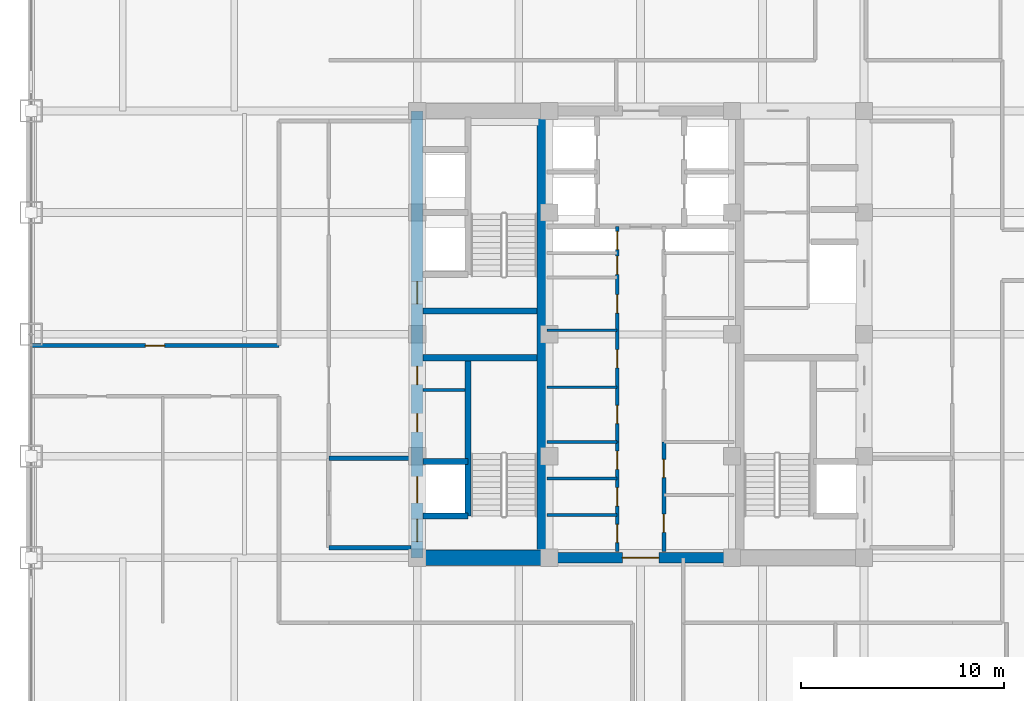
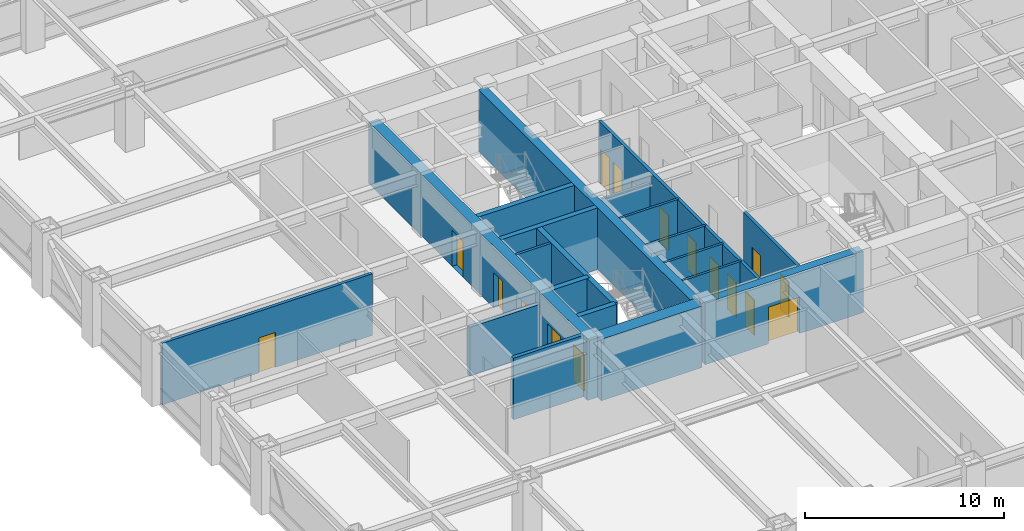
# One storey, part 20 of 25: 21 walls, 17 doors, 17 openings.
"""IFC4 building model written with IfcOpenShell, lengths in metres."""

from ifc_helpers import new_model, si_unit, direction, frame, frame_2d, origin, place, context, subcontext, project, spatial, rectangle, extrude, source, transform, mapped, material, layer, layer_set, type_object, element, fill, save


model = new_model("IFC4")

# Units and contexts
model_context = context("Model", 3, precision=1e-05, world=origin(), true_north=direction((0.0, 1.0)))
body_context = subcontext(model_context, "Body", "Model", "MODEL_VIEW")
ifc_project = project(units=[si_unit("LENGTHUNIT", "METRE"), si_unit("AREAUNIT", "SQUARE_METRE"), si_unit("VOLUMEUNIT", "CUBIC_METRE"), si_unit("PLANEANGLEUNIT", "RADIAN"), si_unit("MASSUNIT", "GRAM", prefix="KILO")], contexts=[model_context])

# Site, building, storey
site_placement = place(None, origin())
site = spatial("IfcSite", under=ifc_project, at=site_placement, CompositionType="ELEMENT")
building_placement = place(site_placement, origin())
building = spatial("IfcBuilding", under=site, at=building_placement, Name="Khorayat Bourse Tower", CompositionType="ELEMENT")
storey_placement = place(building_placement, frame((0.0, 0.0, 199.10009765625)))
storey = spatial("IfcBuildingStorey", under=building, at=storey_placement, Name="L46", CompositionType="ELEMENT", Elevation=199.10009765625)

# Wall, openings, doors
ifc_material_1 = material(Name="Concrete C60/75", Category="concrete")
ifc_layer_1 = layer(ifc_material_1, 0.60009765625)
ifc_layer_set_1 = layer_set([ifc_layer_1], Name="Concrete C60/75")
wall_type_1 = type_object("IfcWallType", Name="WAL-CORE-600", PredefinedType="SHEAR", material=ifc_layer_set_1)
shared_shape_1 = source(origin(), body_context, "Body", "SweptSolid", [
    extrude(rectangle(XDim=22.0, YDim=0.60009765625, at=frame_2d((11.0, 0.0))), origin(), (0.0, 0.0, 1.0), 3.77978515625),
])
wall_1_placement = place(storey_placement, frame((-11.0, -11.0, 0.0), z_axis=(0.0, 0.0, 1.0), x_axis=(0.0, 1.0, 0.0)))
wall_1 = element("IfcWall", 1, at=wall_1_placement, inside=storey, type_object=wall_type_1, Name="L46 Core Shear Wall CORE-W", PredefinedType="SHEAR", context=body_context, shape_type="MappedRepresentation", body=[
    mapped(shared_shape_1, transform((0.0, 0.0, 0.0), scale=1.0)),
])
shared_shape_2 = source(origin(), body_context, "Body", "SweptSolid", [
    extrude(rectangle(XDim=1.10009765625, YDim=2.199951171875, at=frame_2d((0.550048828125, 1.10009765625))), frame((0.0, 0.31005859375, 0.0), z_axis=(0.0, -1.0, 0.0), x_axis=(1.0, 0.0, 0.0)), (0.0, 0.0, 1.0), 0.6201171875),
])
opening_1_placement = place(wall_1_placement, frame((0.800048828125, 0.0, 0.0)))
opening_1 = element("IfcOpeningElement", 2, at=opening_1_placement, cuts=wall_1, Name="Opening DI-01", PredefinedType="OPENING", context=body_context, shape_type="MappedRepresentation", body=[
    mapped(shared_shape_2, transform((0.0, 0.0, 0.0), scale=1.0)),
])
opening_2_placement = place(wall_1_placement, frame((12.5, 0.0, 0.0)))
opening_2 = element("IfcOpeningElement", 3, at=opening_2_placement, cuts=wall_1, Name="Opening DI-01", PredefinedType="OPENING", context=body_context, shape_type="MappedRepresentation", body=[
    mapped(shared_shape_2, transform((0.0, 0.0, 0.0), scale=1.0)),
])
shared_shape_3 = source(origin(), body_context, "Body", "SweptSolid", [
    extrude(rectangle(XDim=0.89990234375, YDim=2.14990234375, at=frame_2d((0.449951171875, 1.074951171875))), frame((0.0, 0.31005859375, 0.0), z_axis=(0.0, -1.0, 0.0), x_axis=(1.0, 0.0, 0.0)), (0.0, 0.0, 1.0), 0.6201171875),
])
opening_3_placement = place(wall_1_placement, frame((6.199951171875, 0.0, 0.0)))
opening_3 = element("IfcOpeningElement", 4, at=opening_3_placement, cuts=wall_1, Name="Opening DI-06", PredefinedType="OPENING", context=body_context, shape_type="MappedRepresentation", body=[
    mapped(shared_shape_3, transform((0.0, 0.0, 0.0), scale=1.0)),
])
opening_4_placement = place(wall_1_placement, frame((8.52490234375, 0.0, 0.0)))
opening_4 = element("IfcOpeningElement", 5, at=opening_4_placement, cuts=wall_1, Name="Opening DI-06", PredefinedType="OPENING", context=body_context, shape_type="MappedRepresentation", body=[
    mapped(shared_shape_3, transform((0.0, 0.0, 0.0), scale=1.0)),
])
shared_shape_4 = source(origin(), body_context, "Body", "SweptSolid", [
    extrude(rectangle(XDim=1.300048828125, YDim=2.300048828125, at=frame_2d((0.64990234375, 1.14990234375))), frame((0.0, 0.31005859375, 0.0), z_axis=(0.0, -1.0, 0.0), x_axis=(1.0, 0.0, 0.0)), (0.0, 0.0, 1.0), 0.6201171875),
])
opening_5_placement = place(wall_1_placement, frame((2.699951171875, 0.0, 0.0)))
opening_5 = element("IfcOpeningElement", 6, at=opening_5_placement, cuts=wall_1, Name="Opening LD-02", PredefinedType="OPENING", context=body_context, shape_type="MappedRepresentation", body=[
    mapped(shared_shape_4, transform((0.0, 0.0, 0.0), scale=1.0)),
])
ifc_material_2 = material(Name="Fire-rated steel acoustic leaf", Category="steel")
door_type_1 = type_object("IfcDoorType", Name="DR-INT-STAIR-1100", OperationType="NOTDEFINED", PredefinedType="DOOR", material=ifc_material_2)
shared_shape_5 = source(origin(), body_context, "Body", "SweptSolid", [
    extrude(rectangle(XDim=1.10009765625, YDim=2.199951171875, at=frame_2d((0.550048828125, 1.10009765625))), frame((0.0, 0.02490234375, 0.0), z_axis=(0.0, -1.0, 0.0), x_axis=(1.0, 0.0, 0.0)), (0.0, 0.0, 1.0), 0.050048828125),
])
door_1_placement = place(opening_1_placement, origin())
door_1 = element("IfcDoor", 7, at=door_1_placement, inside=storey, type_object=door_type_1, Name="L46 Exit Stair 1 Door", OperationType="SINGLE_SWING_RIGHT", OverallHeight=2.199951171875, OverallWidth=1.10009765625, PredefinedType="DOOR", context=body_context, shape_type="MappedRepresentation", body=[
    mapped(shared_shape_5, transform((0.0, 0.0, 0.0), scale=1.0)),
])
fill(opening_1, door_1)
door_2_placement = place(opening_2_placement, origin())
door_2 = element("IfcDoor", 8, at=door_2_placement, inside=storey, type_object=door_type_1, Name="L46 Exit Stair 2 Door", OperationType="SINGLE_SWING_RIGHT", OverallHeight=2.199951171875, OverallWidth=1.10009765625, PredefinedType="DOOR", context=body_context, shape_type="MappedRepresentation", body=[
    mapped(shared_shape_5, transform((0.0, 0.0, 0.0), scale=1.0)),
])
fill(opening_2, door_2)
ifc_material_3 = material(Name="Moisture-resistant laminate washroom door")
door_type_2 = type_object("IfcDoorType", Name="DR-INT-WC-900", OperationType="NOTDEFINED", PredefinedType="DOOR", material=ifc_material_3)
shared_shape_6 = source(origin(), body_context, "Body", "SweptSolid", [
    extrude(rectangle(XDim=0.89990234375, YDim=2.14990234375, at=frame_2d((0.449951171875, 1.074951171875))), frame((0.0, 0.02490234375, 0.0), z_axis=(0.0, -1.0, 0.0), x_axis=(1.0, 0.0, 0.0)), (0.0, 0.0, 1.0), 0.050048828125),
])
door_3_placement = place(opening_3_placement, origin())
door_3 = element("IfcDoor", 9, at=door_3_placement, inside=storey, type_object=door_type_2, Name="L46 Switch Closet Door", OperationType="SINGLE_SWING_RIGHT", OverallHeight=2.14990234375, OverallWidth=0.89990234375, PredefinedType="DOOR", context=body_context, shape_type="MappedRepresentation", body=[
    mapped(shared_shape_6, transform((0.0, 0.0, 0.0), scale=1.0)),
])
fill(opening_3, door_3)
door_4_placement = place(opening_4_placement, origin())
door_4 = element("IfcDoor", 10, at=door_4_placement, inside=storey, type_object=door_type_2, Name="L46 Janitor Store Door", OperationType="SINGLE_SWING_LEFT", OverallHeight=2.14990234375, OverallWidth=0.89990234375, PredefinedType="DOOR", context=body_context, shape_type="MappedRepresentation", body=[
    mapped(shared_shape_6, transform((0.0, 0.0, 0.0), scale=1.0)),
])
fill(opening_4, door_4)
ifc_material_4 = material(Name="Fire-rated stainless-steel sliding landing door", Category="steel")
door_type_3 = type_object("IfcDoorType", Name="DR-LIFT-FF-1300", OperationType="NOTDEFINED", PredefinedType="DOOR", material=ifc_material_4)
shared_shape_7 = source(origin(), body_context, "Body", "SweptSolid", [
    extrude(rectangle(XDim=1.300048828125, YDim=2.300048828125, at=frame_2d((0.64990234375, 1.14990234375))), frame((0.0, 0.02490234375, 0.0), z_axis=(0.0, -1.0, 0.0), x_axis=(1.0, 0.0, 0.0)), (0.0, 0.0, 1.0), 0.050048828125),
])
door_5_placement = place(opening_5_placement, origin())
door_5 = element("IfcDoor", 11, at=door_5_placement, inside=storey, type_object=door_type_3, Name="L46 Lift FFL-01 Sliding Landing Door", OperationType="SLIDING_TO_LEFT", OverallHeight=2.300048828125, OverallWidth=1.300048828125, PredefinedType="DOOR", context=body_context, shape_type="MappedRepresentation", body=[
    mapped(shared_shape_7, transform((0.0, 0.0, 0.0), scale=1.0)),
])
fill(opening_5, door_5)

# Walls
ifc_material_5 = material(Name="Concrete C52/65", Category="concrete")
ifc_layer_2 = layer(ifc_material_5, 0.5)
ifc_layer_set_2 = layer_set([ifc_layer_2], Name="Concrete C52/65")
wall_type_2 = type_object("IfcWallType", Name="WAL-CORE-500", PredefinedType="SHEAR", material=ifc_layer_set_2)
shared_shape_8 = source(origin(), body_context, "Body", "SweptSolid", [
    extrude(rectangle(XDim=21.39990234375, YDim=0.5, at=frame_2d((10.699951171875, 0.0))), origin(), (0.0, 0.0, 1.0), 3.77978515625),
])
wall_2_placement = place(storey_placement, frame((-4.85009765625, -10.699951171875, 0.0), z_axis=(0.0, 0.0, 1.0), x_axis=(0.0, 1.0, 0.0)))
element("IfcWall", 12, at=wall_2_placement, inside=storey, type_object=wall_type_2, Name="L46 Core Shear Wall PIER-W", PredefinedType="SHEAR", context=body_context, shape_type="MappedRepresentation", body=[
    mapped(shared_shape_8, transform((0.0, 0.0, 0.0), scale=1.0)),
])
ifc_material_6 = material(Name="Concrete C72/90", Category="concrete")
ifc_layer_3 = layer(ifc_material_6, 0.75)
ifc_layer_set_3 = layer_set([ifc_layer_3], Name="Concrete C72/90")
wall_type_3 = type_object("IfcWallType", Name="WAL-CORE-750", PredefinedType="SHEAR", material=ifc_layer_set_3)
shared_shape_9 = source(origin(), body_context, "Body", "SweptSolid", [
    extrude(rectangle(XDim=5.849853515625, YDim=0.75, at=frame_2d((2.9248046875, 0.0))), origin(), (0.0, 0.0, 1.0), 3.77978515625),
])
wall_3_placement = place(storey_placement, frame((-10.699951171875, -11.0, 0.0), z_axis=(0.0, 0.0, 1.0), x_axis=(1.0, 0.0, 0.0)))
element("IfcWall", 13, at=wall_3_placement, inside=storey, type_object=wall_type_3, Name="L46 Core Shear Wall PIER-WS", PredefinedType="SHEAR", context=body_context, shape_type="MappedRepresentation", body=[
    mapped(shared_shape_9, transform((0.0, 0.0, 0.0), scale=1.0)),
])
ifc_material_7 = material(Name="Concrete C50/60", Category="concrete")
ifc_layer_4 = layer(ifc_material_7, 0.300048828125)
ifc_layer_set_4 = layer_set([ifc_layer_4], Name="Concrete C50/60")
wall_type_4 = type_object("IfcWallType", Name="WAL-SHAFT-300", PredefinedType="SHEAR", material=ifc_layer_set_4)
shared_shape_10 = source(origin(), body_context, "Body", "SweptSolid", [
    extrude(rectangle(XDim=5.599853515625, YDim=0.300048828125, at=frame_2d((2.7998046875, 0.0))), origin(), (0.0, 0.0, 1.0), 3.77978515625),
])
for number, where, z_axis, x_axis, name in (
    (14, (-10.699951171875, -1.14990234375, 0.0), (0.0, 0.0, 1.0), (1.0, 0.0, 0.0), "L46 Core Shear Wall ST1-DIV"),
    (15, (-10.699951171875, 1.14990234375, 0.0), (0.0, 0.0, 1.0), (1.0, 0.0, 0.0), "L46 Core Shear Wall ST2-DIV"),
):
    element("IfcWall", number, at=place(storey_placement, frame(where, z_axis=z_axis, x_axis=x_axis)), inside=storey, type_object=wall_type_4, Name=name, PredefinedType="SHEAR", context=body_context, shape_type="MappedRepresentation", body=[
        mapped(shared_shape_10, transform((0.0, 0.0, 0.0), scale=1.0)),
    ])

# Wall, opening, door
shared_shape_11 = source(origin(), body_context, "Body", "SweptSolid", [
    extrude(rectangle(XDim=9.2001953125, YDim=0.5, at=frame_2d((4.60009765625, 0.0))), origin(), (0.0, 0.0, 1.0), 3.77978515625),
])
wall_4_placement = place(storey_placement, frame((-4.60009765625, -11.0, 0.0), z_axis=(0.0, 0.0, 1.0), x_axis=(1.0, 0.0, 0.0)))
wall_4 = element("IfcWall", 16, at=wall_4_placement, inside=storey, type_object=wall_type_2, Name="L46 Core Shear Wall CORE-S", PredefinedType="SHEAR", context=body_context, shape_type="MappedRepresentation", body=[
    mapped(shared_shape_11, transform((0.0, 0.0, 0.0), scale=1.0)),
])
shared_shape_12 = source(origin(), body_context, "Body", "SweptSolid", [
    extrude(rectangle(XDim=1.800048828125, YDim=2.25, at=frame_2d((0.89990234375, 1.125))), frame((0.0, 0.260009765625, 0.0), z_axis=(0.0, -1.0, 0.0), x_axis=(1.0, 0.0, 0.0)), (0.0, 0.0, 1.0), 0.52001953125),
])
opening_6_placement = place(wall_4_placement, frame((3.699951171875, 0.0, 0.0)))
opening_6 = element("IfcOpeningElement", 17, at=opening_6_placement, cuts=wall_4, Name="Opening DI-03", PredefinedType="OPENING", context=body_context, shape_type="MappedRepresentation", body=[
    mapped(shared_shape_12, transform((0.0, 0.0, 0.0), scale=1.0)),
])
ifc_material_8 = material(Name="Fire-rated hardwood vision-panel double leaf", Category="wood")
door_type_4 = type_object("IfcDoorType", Name="DR-INT-CORR-1800", OperationType="NOTDEFINED", PredefinedType="DOOR", material=ifc_material_8)
shared_shape_13 = source(origin(), body_context, "Body", "SweptSolid", [
    extrude(rectangle(XDim=1.800048828125, YDim=2.25, at=frame_2d((0.89990234375, 1.125))), frame((0.0, 0.02490234375, 0.0), z_axis=(0.0, -1.0, 0.0), x_axis=(1.0, 0.0, 0.0)), (0.0, 0.0, 1.0), 0.050048828125),
])
door_6_placement = place(opening_6_placement, origin())
door_6 = element("IfcDoor", 18, at=door_6_placement, inside=storey, type_object=door_type_4, Name="L46 Central Core South Passage Door", OperationType="SINGLE_SWING_LEFT", OverallHeight=2.25, OverallWidth=1.800048828125, PredefinedType="DOOR", context=body_context, shape_type="MappedRepresentation", body=[
    mapped(shared_shape_13, transform((0.0, 0.0, 0.0), scale=1.0)),
])
fill(opening_6, door_6)

# Walls
shared_shape_14 = source(origin(), body_context, "Body", "SweptSolid", [
    extrude(rectangle(XDim=7.800048828125, YDim=0.300048828125, at=frame_2d((3.89990234375, 0.0))), origin(), (0.0, 0.0, 1.0), 3.77978515625),
])
wall_5_placement = place(storey_placement, frame((-8.5, -8.949951171875, 0.0), z_axis=(0.0, 0.0, 1.0), x_axis=(0.0, 1.0, 0.0)))
element("IfcWall", 19, at=wall_5_placement, inside=storey, type_object=wall_type_4, Name="L46 Partition WAL-L46-WPIER-SP", PredefinedType="SHEAR", context=body_context, shape_type="MappedRepresentation", body=[
    mapped(shared_shape_14, transform((0.0, 0.0, 0.0), scale=1.0)),
])
shared_shape_15 = source(origin(), body_context, "Body", "SweptSolid", [
    extrude(rectangle(XDim=2.199951171875, YDim=0.300048828125, at=frame_2d((1.10009765625, 0.0))), origin(), (0.0, 0.0, 1.0), 3.77978515625),
])
for number, where, z_axis, x_axis, name in (
    (20, (-10.699951171875, -8.949951171875, 0.0), (0.0, 0.0, 1.0), (1.0, 0.0, 0.0), "L46 Partition WAL-L46-WPIER-FF1S"),
    (21, (-10.699951171875, -6.25, 0.0), (0.0, 0.0, 1.0), (1.0, 0.0, 0.0), "L46 Partition WAL-L46-WPIER-FF1N"),
):
    element("IfcWall", number, at=place(storey_placement, frame(where, z_axis=z_axis, x_axis=x_axis)), inside=storey, type_object=wall_type_4, Name=name, PredefinedType="SHEAR", context=body_context, shape_type="MappedRepresentation", body=[
        mapped(shared_shape_15, transform((0.0, 0.0, 0.0), scale=1.0)),
    ])
ifc_material_9 = material(Name="Gypsum plasterboard twin-frame partition")
ifc_layer_5 = layer(ifc_material_9, 0.14990234375)
ifc_layer_set_5 = layer_set([ifc_layer_5], Name="Gypsum plasterboard twin-frame partition")
wall_type_5 = type_object("IfcWallType", Name="WAL-PART-SUITE-150", PredefinedType="PARTITIONING", material=ifc_layer_set_5)
shared_shape_16 = source(origin(), body_context, "Body", "SweptSolid", [
    extrude(rectangle(XDim=2.050048828125, YDim=0.14990234375, at=frame_2d((1.02490234375, 0.0))), origin(), (0.0, 0.0, 1.0), 3.77978515625),
])
wall_6_placement = place(storey_placement, frame((-10.699951171875, -2.75, 0.0), z_axis=(0.0, 0.0, 1.0), x_axis=(1.0, 0.0, 0.0)))
element("IfcWall", 22, at=wall_6_placement, inside=storey, type_object=wall_type_5, Name="L46 Partition WAL-L46-WSRV-D1", PredefinedType="PARTITIONING", context=body_context, shape_type="MappedRepresentation", body=[
    mapped(shared_shape_16, transform((0.0, 0.0, 0.0), scale=1.0)),
])
ifc_material_10 = material(Name="Aerated concrete blockwork", Category="masonry")
ifc_layer_6 = layer(ifc_material_10, 0.219970703125)
ifc_layer_set_6 = layer_set([ifc_layer_6], Name="Aerated concrete blockwork")
wall_type_6 = type_object("IfcWallType", Name="WAL-PART-FF-220", PredefinedType="PARTITIONING", material=ifc_layer_set_6)
shared_shape_17 = source(origin(), body_context, "Body", "SweptSolid", [
    extrude(rectangle(XDim=4.050048828125, YDim=0.219970703125, at=frame_2d((2.02490234375, 0.0))), origin(), (0.0, 0.0, 1.0), 3.77978515625),
])
wall_7_placement = place(storey_placement, frame((-15.35009765625, -10.5, 0.0), z_axis=(0.0, 0.0, 1.0), x_axis=(1.0, 0.0, 0.0)))
element("IfcWall", 23, at=wall_7_placement, inside=storey, type_object=wall_type_6, Name="L46 Partition WAL-L46-FFLW-S", PredefinedType="PARTITIONING", context=body_context, shape_type="MappedRepresentation", body=[
    mapped(shared_shape_17, transform((0.0, 0.0, 0.0), scale=1.0)),
])
shared_shape_18 = source(origin(), body_context, "Body", "SweptSolid", [
    extrude(rectangle(XDim=4.050048828125, YDim=0.219970703125, at=frame_2d((2.02490234375, 0.0))), origin(), (0.0, 0.0, 1.0), 3.0068359375),
])
wall_8_placement = place(storey_placement, frame((-15.35009765625, -6.10009765625, 0.0), z_axis=(0.0, 0.0, 1.0), x_axis=(1.0, 0.0, 0.0)))
element("IfcWall", 24, at=wall_8_placement, inside=storey, type_object=wall_type_6, Name="L46 Partition WAL-L46-FFLW-N", PredefinedType="PARTITIONING", context=body_context, shape_type="MappedRepresentation", body=[
    mapped(shared_shape_18, transform((0.0, 0.0, 0.0), scale=1.0)),
])
shared_shape_19 = source(origin(), body_context, "Body", "SweptSolid", [
    extrude(rectangle(XDim=3.4501953125, YDim=0.14990234375, at=frame_2d((1.72509765625, 0.0))), origin(), (0.0, 0.0, 1.0), 3.77978515625),
])
wall_9_placement = place(storey_placement, frame((-4.60009765625, -5.300048828125, 0.0), z_axis=(0.0, 0.0, 1.0), x_axis=(1.0, 0.0, 0.0)))
element("IfcWall", 25, at=wall_9_placement, inside=storey, type_object=wall_type_5, Name="L46 Partition WAL-L46-FB1-NW", PredefinedType="PARTITIONING", context=body_context, shape_type="MappedRepresentation", body=[
    mapped(shared_shape_19, transform((0.0, 0.0, 0.0), scale=1.0)),
])
ifc_material_11 = material(Name="Moisture-resistant masonry partition", Category="masonry")
ifc_layer_7 = layer(ifc_material_11, 0.139892578125)
ifc_layer_set_7 = layer_set([ifc_layer_7], Name="Moisture-resistant masonry partition")
wall_type_7 = type_object("IfcWallType", Name="WAL-PART-WET-140", PredefinedType="PARTITIONING", material=ifc_layer_set_7)
shared_shape_20 = source(origin(), body_context, "Body", "SweptSolid", [
    extrude(rectangle(XDim=3.4501953125, YDim=0.139892578125, at=frame_2d((1.72509765625, 0.0))), origin(), (0.0, 0.0, 1.0), 3.77978515625),
])
for number, where, z_axis, x_axis, name in (
    (26, (-4.60009765625, -8.89990234375, 0.0), (0.0, 0.0, 1.0), (1.0, 0.0, 0.0), "L46 Partition WAL-L46-FB1W-D1"),
    (27, (-4.60009765625, -7.10009765625, 0.0), (0.0, 0.0, 1.0), (1.0, 0.0, 0.0), "L46 Partition WAL-L46-FB1W-D2"),
    (28, (-4.60009765625, -2.60009765625, 0.0), (0.0, 0.0, 1.0), (1.0, 0.0, 0.0), "L46 Partition WAL-L46-CMW-D1"),
):
    element("IfcWall", number, at=place(storey_placement, frame(where, z_axis=z_axis, x_axis=x_axis)), inside=storey, type_object=wall_type_7, Name=name, PredefinedType="PARTITIONING", context=body_context, shape_type="MappedRepresentation", body=[
        mapped(shared_shape_20, transform((0.0, 0.0, 0.0), scale=1.0)),
    ])

# Wall, openings, doors
ifc_material_12 = material(Name="Gypsum plasterboard acoustic stud wall")
ifc_layer_8 = layer(ifc_material_12, 0.179931640625)
ifc_layer_set_8 = layer_set([ifc_layer_8], Name="Gypsum plasterboard acoustic stud wall")
wall_type_8 = type_object("IfcWallType", Name="WAL-PART-CORR-180", PredefinedType="PARTITIONING", material=ifc_layer_set_8)
shared_shape_21 = source(origin(), body_context, "Body", "SweptSolid", [
    extrude(rectangle(XDim=5.39990234375, YDim=0.179931640625, at=frame_2d((2.699951171875, 0.0))), origin(), (0.0, 0.0, 1.0), 3.77978515625),
])
wall_10_placement = place(storey_placement, frame((-1.14990234375, -10.699951171875, 0.0), z_axis=(0.0, 0.0, 1.0), x_axis=(0.0, 1.0, 0.0)))
wall_10 = element("IfcWall", 29, at=wall_10_placement, inside=storey, type_object=wall_type_8, Name="L46 Partition WAL-L46-FB1W-L", PredefinedType="PARTITIONING", context=body_context, shape_type="MappedRepresentation", body=[
    mapped(shared_shape_21, transform((0.0, 0.0, 0.0), scale=1.0)),
])
shared_shape_22 = source(origin(), body_context, "Body", "SweptSolid", [
    extrude(rectangle(XDim=0.89990234375, YDim=2.14990234375, at=frame_2d((0.449951171875, 1.074951171875))), frame((0.0, 0.099853515625, 0.0), z_axis=(0.0, -1.0, 0.0), x_axis=(1.0, 0.0, 0.0)), (0.0, 0.0, 1.0), 0.199951171875),
])
opening_7_placement = place(wall_10_placement, frame((0.449951171875, 0.0, 0.0)))
opening_7 = element("IfcOpeningElement", 30, at=opening_7_placement, cuts=wall_10, Name="Opening DI-06", PredefinedType="OPENING", context=body_context, shape_type="MappedRepresentation", body=[
    mapped(shared_shape_22, transform((0.0, 0.0, 0.0), scale=1.0)),
])
opening_8_placement = place(wall_10_placement, frame((2.25, 0.0, 0.0)))
opening_8 = element("IfcOpeningElement", 31, at=opening_8_placement, cuts=wall_10, Name="Opening DI-06", PredefinedType="OPENING", context=body_context, shape_type="MappedRepresentation", body=[
    mapped(shared_shape_22, transform((0.0, 0.0, 0.0), scale=1.0)),
])
opening_9_placement = place(wall_10_placement, frame((4.050048828125, 0.0, 0.0)))
opening_9 = element("IfcOpeningElement", 32, at=opening_9_placement, cuts=wall_10, Name="Opening DI-06", PredefinedType="OPENING", context=body_context, shape_type="MappedRepresentation", body=[
    mapped(shared_shape_22, transform((0.0, 0.0, 0.0), scale=1.0)),
])
door_7_placement = place(opening_7_placement, origin())
door_7 = element("IfcDoor", 33, at=door_7_placement, inside=storey, type_object=door_type_2, Name="L46 Archive Store A Door", OperationType="SINGLE_SWING_RIGHT", OverallHeight=2.14990234375, OverallWidth=0.89990234375, PredefinedType="DOOR", context=body_context, shape_type="MappedRepresentation", body=[
    mapped(shared_shape_6, transform((0.0, 0.0, 0.0), scale=1.0)),
])
fill(opening_7, door_7)
door_8_placement = place(opening_8_placement, origin())
door_8 = element("IfcDoor", 34, at=door_8_placement, inside=storey, type_object=door_type_2, Name="L46 Patch Comms Room Door", OperationType="SINGLE_SWING_LEFT", OverallHeight=2.14990234375, OverallWidth=0.89990234375, PredefinedType="DOOR", context=body_context, shape_type="MappedRepresentation", body=[
    mapped(shared_shape_6, transform((0.0, 0.0, 0.0), scale=1.0)),
])
fill(opening_8, door_8)
door_9_placement = place(opening_9_placement, origin())
door_9 = element("IfcDoor", 35, at=door_9_placement, inside=storey, type_object=door_type_2, Name="L46 Archive Store B Door", OperationType="SINGLE_SWING_RIGHT", OverallHeight=2.14990234375, OverallWidth=0.89990234375, PredefinedType="DOOR", context=body_context, shape_type="MappedRepresentation", body=[
    mapped(shared_shape_6, transform((0.0, 0.0, 0.0), scale=1.0)),
])
fill(opening_9, door_9)

wall_11_placement = place(storey_placement, frame((1.14990234375, -10.699951171875, 0.0), z_axis=(0.0, 0.0, 1.0), x_axis=(0.0, 1.0, 0.0)))
wall_11 = element("IfcWall", 36, at=wall_11_placement, inside=storey, type_object=wall_type_8, Name="L46 Partition WAL-L46-FB1E-L", PredefinedType="PARTITIONING", context=body_context, shape_type="MappedRepresentation", body=[
    mapped(shared_shape_21, transform((0.0, 0.0, 0.0), scale=1.0)),
])
opening_10_placement = place(wall_11_placement, frame((0.949951171875, 0.0, 0.0)))
opening_10 = element("IfcOpeningElement", 37, at=opening_10_placement, cuts=wall_11, Name="Opening DI-06", PredefinedType="OPENING", context=body_context, shape_type="MappedRepresentation", body=[
    mapped(shared_shape_22, transform((0.0, 0.0, 0.0), scale=1.0)),
])
opening_11_placement = place(wall_11_placement, frame((3.64990234375, 0.0, 0.0)))
opening_11 = element("IfcOpeningElement", 38, at=opening_11_placement, cuts=wall_11, Name="Opening DI-06", PredefinedType="OPENING", context=body_context, shape_type="MappedRepresentation", body=[
    mapped(shared_shape_22, transform((0.0, 0.0, 0.0), scale=1.0)),
])
door_10_placement = place(opening_10_placement, origin())
door_10 = element("IfcDoor", 39, at=door_10_placement, inside=storey, type_object=door_type_2, Name="L46 UPS Switch Plant Room Door", OperationType="SINGLE_SWING_RIGHT", OverallHeight=2.14990234375, OverallWidth=0.89990234375, PredefinedType="DOOR", context=body_context, shape_type="MappedRepresentation", body=[
    mapped(shared_shape_6, transform((0.0, 0.0, 0.0), scale=1.0)),
])
fill(opening_10, door_10)
door_11_placement = place(opening_11_placement, origin())
door_11 = element("IfcDoor", 40, at=door_11_placement, inside=storey, type_object=door_type_2, Name="L46 Reprographics Store Door", OperationType="SINGLE_SWING_LEFT", OverallHeight=2.14990234375, OverallWidth=0.89990234375, PredefinedType="DOOR", context=body_context, shape_type="MappedRepresentation", body=[
    mapped(shared_shape_6, transform((0.0, 0.0, 0.0), scale=1.0)),
])
fill(opening_11, door_11)

# Wall
shared_shape_23 = source(origin(), body_context, "Body", "SweptSolid", [
    extrude(rectangle(XDim=3.4501953125, YDim=0.139892578125, at=frame_2d((1.72509765625, 0.0))), origin(), (0.0, 0.0, 1.0), 3.0849609375),
])
wall_12_placement = place(storey_placement, frame((-4.60009765625, 0.199951171875, 0.0), z_axis=(0.0, 0.0, 1.0), x_axis=(1.0, 0.0, 0.0)))
element("IfcWall", 41, at=wall_12_placement, inside=storey, type_object=wall_type_7, Name="L46 Partition WAL-L46-CMW-D2", PredefinedType="PARTITIONING", context=body_context, shape_type="MappedRepresentation", body=[
    mapped(shared_shape_23, transform((0.0, 0.0, 0.0), scale=1.0)),
])

# Wall, openings, doors
shared_shape_24 = source(origin(), body_context, "Body", "SweptSolid", [
    extrude(rectangle(XDim=10.60009765625, YDim=0.179931640625, at=frame_2d((5.300048828125, 0.0))), origin(), (0.0, 0.0, 1.0), 3.77978515625),
])
wall_13_placement = place(storey_placement, frame((-1.14990234375, -5.300048828125, 0.0), z_axis=(0.0, 0.0, 1.0), x_axis=(0.0, 1.0, 0.0)))
wall_13 = element("IfcWall", 42, at=wall_13_placement, inside=storey, type_object=wall_type_8, Name="L46 Partition WAL-L46-CMW-L", PredefinedType="PARTITIONING", context=body_context, shape_type="MappedRepresentation", body=[
    mapped(shared_shape_24, transform((0.0, 0.0, 0.0), scale=1.0)),
])
opening_12_placement = place(wall_13_placement, frame((0.89990234375, 0.0, 0.0)))
opening_12 = element("IfcOpeningElement", 43, at=opening_12_placement, cuts=wall_13, Name="Opening DI-06", PredefinedType="OPENING", context=body_context, shape_type="MappedRepresentation", body=[
    mapped(shared_shape_22, transform((0.0, 0.0, 0.0), scale=1.0)),
])
opening_13_placement = place(wall_13_placement, frame((3.64990234375, 0.0, 0.0)))
opening_13 = element("IfcOpeningElement", 44, at=opening_13_placement, cuts=wall_13, Name="Opening DI-06", PredefinedType="OPENING", context=body_context, shape_type="MappedRepresentation", body=[
    mapped(shared_shape_22, transform((0.0, 0.0, 0.0), scale=1.0)),
])
opening_14_placement = place(wall_13_placement, frame((6.35009765625, 0.0, 0.0)))
opening_14 = element("IfcOpeningElement", 45, at=opening_14_placement, cuts=wall_13, Name="Opening DI-06", PredefinedType="OPENING", context=body_context, shape_type="MappedRepresentation", body=[
    mapped(shared_shape_22, transform((0.0, 0.0, 0.0), scale=1.0)),
])
opening_15_placement = place(wall_13_placement, frame((8.25, 0.0, 0.0)))
opening_15 = element("IfcOpeningElement", 46, at=opening_15_placement, cuts=wall_13, Name="Opening DI-06", PredefinedType="OPENING", context=body_context, shape_type="MappedRepresentation", body=[
    mapped(shared_shape_22, transform((0.0, 0.0, 0.0), scale=1.0)),
])
opening_16_placement = place(wall_13_placement, frame((9.47509765625, 0.0, 0.0)))
opening_16 = element("IfcOpeningElement", 47, at=opening_16_placement, cuts=wall_13, Name="Opening DI-06", PredefinedType="OPENING", context=body_context, shape_type="MappedRepresentation", body=[
    mapped(shared_shape_22, transform((0.0, 0.0, 0.0), scale=1.0)),
])
door_12_placement = place(opening_12_placement, origin())
door_12 = element("IfcDoor", 48, at=door_12_placement, inside=storey, type_object=door_type_2, Name="L46 Cleaners Store Door", OperationType="SINGLE_SWING_RIGHT", OverallHeight=2.14990234375, OverallWidth=0.89990234375, PredefinedType="DOOR", context=body_context, shape_type="MappedRepresentation", body=[
    mapped(shared_shape_6, transform((0.0, 0.0, 0.0), scale=1.0)),
])
fill(opening_12, door_12)
door_13_placement = place(opening_13_placement, origin())
door_13 = element("IfcDoor", 49, at=door_13_placement, inside=storey, type_object=door_type_2, Name="L46 Male Core Washroom Door", OperationType="SINGLE_SWING_LEFT", OverallHeight=2.14990234375, OverallWidth=0.89990234375, PredefinedType="DOOR", context=body_context, shape_type="MappedRepresentation", body=[
    mapped(shared_shape_6, transform((0.0, 0.0, 0.0), scale=1.0)),
])
fill(opening_13, door_13)
door_14_placement = place(opening_14_placement, origin())
door_14 = element("IfcDoor", 50, at=door_14_placement, inside=storey, type_object=door_type_2, Name="L46 Electrical Closet Door", OperationType="SINGLE_SWING_RIGHT", OverallHeight=2.14990234375, OverallWidth=0.89990234375, PredefinedType="DOOR", context=body_context, shape_type="MappedRepresentation", body=[
    mapped(shared_shape_6, transform((0.0, 0.0, 0.0), scale=1.0)),
])
fill(opening_14, door_14)
door_15_placement = place(opening_15_placement, origin())
door_15 = element("IfcDoor", 51, at=door_15_placement, inside=storey, type_object=door_type_2, Name="L46 Archive Cupboard Door", OperationType="SINGLE_SWING_LEFT", OverallHeight=2.14990234375, OverallWidth=0.89990234375, PredefinedType="DOOR", context=body_context, shape_type="MappedRepresentation", body=[
    mapped(shared_shape_6, transform((0.0, 0.0, 0.0), scale=1.0)),
])
fill(opening_15, door_15)
door_16_placement = place(opening_16_placement, origin())
door_16 = element("IfcDoor", 52, at=door_16_placement, inside=storey, type_object=door_type_2, Name="L46 West Core Riser Door", OperationType="SINGLE_SWING_LEFT", OverallHeight=2.14990234375, OverallWidth=0.89990234375, PredefinedType="DOOR", context=body_context, shape_type="MappedRepresentation", body=[
    mapped(shared_shape_6, transform((0.0, 0.0, 0.0), scale=1.0)),
])
fill(opening_16, door_16)

# Wall, opening, door
shared_shape_25 = source(origin(), body_context, "Body", "SweptSolid", [
    extrude(rectangle(XDim=12.199951171875, YDim=0.179931640625, at=frame_2d((6.10009765625, 0.0))), origin(), (0.0, 0.0, 1.0), 3.77978515625),
])
wall_14_placement = place(storey_placement, frame((-30.0, -0.550048828125, 0.0), z_axis=(0.0, 0.0, 1.0), x_axis=(1.0, 0.0, 0.0)))
wall_14 = element("IfcWall", 53, at=wall_14_placement, inside=storey, type_object=wall_type_8, Name="L46 Partition WAL-L46-WN-SPK", PredefinedType="PARTITIONING", context=body_context, shape_type="MappedRepresentation", body=[
    mapped(shared_shape_25, transform((0.0, 0.0, 0.0), scale=1.0)),
])
shared_shape_26 = source(origin(), body_context, "Body", "SweptSolid", [
    extrude(rectangle(XDim=0.949951171875, YDim=2.14990234375, at=frame_2d((0.47509765625, 1.074951171875))), frame((0.0, 0.099853515625, 0.0), z_axis=(0.0, -1.0, 0.0), x_axis=(1.0, 0.0, 0.0)), (0.0, 0.0, 1.0), 0.199951171875),
])
opening_17_placement = place(wall_14_placement, frame((5.625, 0.0, 0.0)))
opening_17 = element("IfcOpeningElement", 54, at=opening_17_placement, cuts=wall_14, Name="Opening DI-05", PredefinedType="OPENING", context=body_context, shape_type="MappedRepresentation", body=[
    mapped(shared_shape_26, transform((0.0, 0.0, 0.0), scale=1.0)),
])
ifc_material_13 = material(Name="Acoustic oak veneer office door")
door_type_5 = type_object("IfcDoorType", Name="DR-INT-OFFICE-950", OperationType="NOTDEFINED", PredefinedType="DOOR", material=ifc_material_13)
shared_shape_27 = source(origin(), body_context, "Body", "SweptSolid", [
    extrude(rectangle(XDim=0.949951171875, YDim=2.14990234375, at=frame_2d((0.47509765625, 1.074951171875))), frame((0.0, 0.02490234375, 0.0), z_axis=(0.0, -1.0, 0.0), x_axis=(1.0, 0.0, 0.0)), (0.0, 0.0, 1.0), 0.050048828125),
])
door_17_placement = place(opening_17_placement, origin())
door_17 = element("IfcDoor", 55, at=door_17_placement, inside=storey, type_object=door_type_5, Name="L46 Clearing Records Archive Store WN Door", OperationType="SINGLE_SWING_LEFT", OverallHeight=2.14990234375, OverallWidth=0.949951171875, PredefinedType="DOOR", context=body_context, shape_type="MappedRepresentation", body=[
    mapped(shared_shape_27, transform((0.0, 0.0, 0.0), scale=1.0)),
])
fill(opening_17, door_17)

save(model, "model.ifc")
